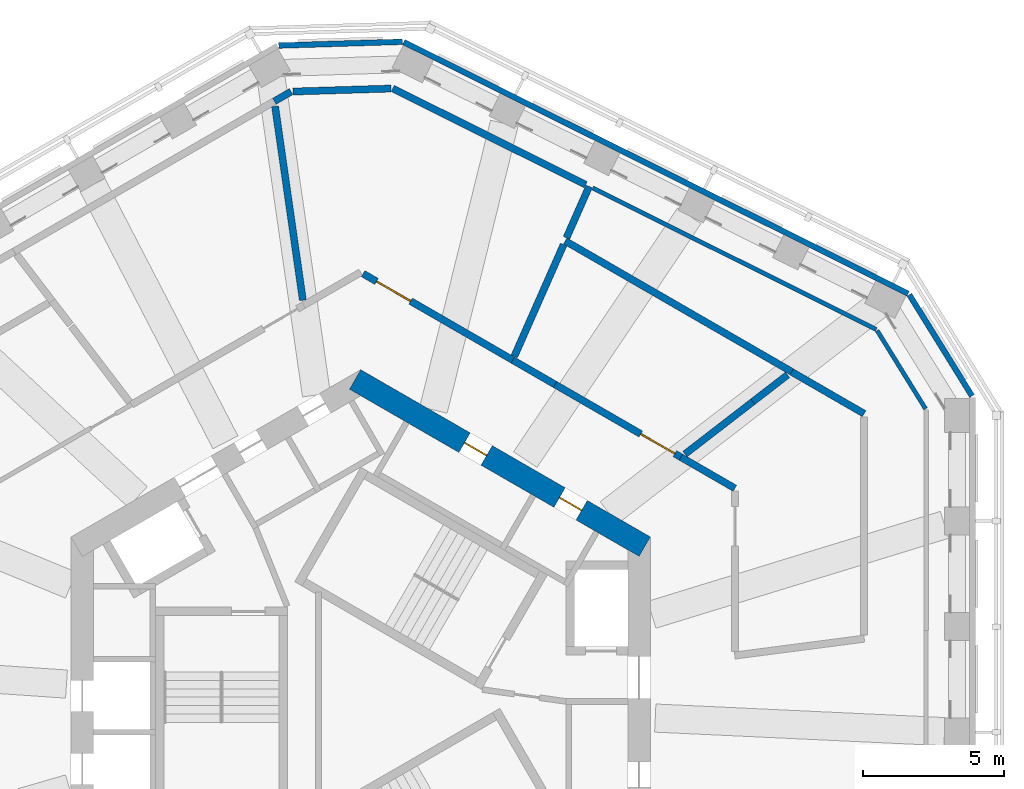
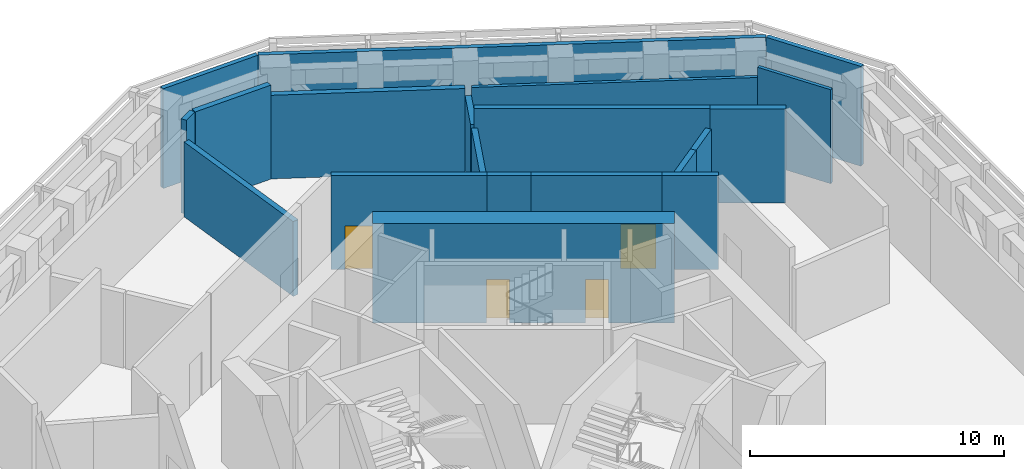
# One storey, part 8 of 15: 20 walls, 4 doors, 4 openings.
"""IFC4 building model written with IfcOpenShell, lengths in metres."""

from ifc_helpers import new_model, si_unit, direction, frame, frame_2d, origin, place, context, subcontext, project, spatial, rectangle, extrude, material, layer, layer_set, type_object, element, fill, save


model = new_model("IFC4")

# Units and contexts
model_context = context("Model", 3, precision=1e-05, world=origin(), true_north=direction((0.0, 1.0)))
body_context = subcontext(model_context, "Body", "Model", "MODEL_VIEW")
ifc_project = project(units=[si_unit("LENGTHUNIT", "METRE"), si_unit("AREAUNIT", "SQUARE_METRE"), si_unit("VOLUMEUNIT", "CUBIC_METRE"), si_unit("PLANEANGLEUNIT", "RADIAN"), si_unit("MASSUNIT", "GRAM", prefix="KILO")], contexts=[model_context])

# Site, building, storey
site_placement = place(None, origin())
site = spatial("IfcSite", under=ifc_project, at=site_placement, CompositionType="ELEMENT")
building_placement = place(site_placement, origin())
building = spatial("IfcBuilding", under=site, at=building_placement, Name="Vanh Sen Convention Tower", CompositionType="ELEMENT")
storey_placement = place(building_placement, frame((0.0, 0.0, 205.800048828125)))
storey = spatial("IfcBuildingStorey", under=building, at=storey_placement, Name="L51", CompositionType="ELEMENT", Elevation=205.800048828125)

# Wall
ifc_material_1 = material(Name="Concrete C40/50", Category="concrete")
ifc_layer_1 = layer(ifc_material_1, 0.25)
ifc_layer_set_1 = layer_set([ifc_layer_1], Name="Concrete C40/50")
wall_type_1 = type_object("IfcWallType", Name="Concrete wall 250 EI 180", PredefinedType="SOLIDWALL", material=ifc_layer_set_1)
wall_1_placement = place(storey_placement, frame((13.300048828125, 7.678955078125, 0.0), z_axis=(0.0, 0.0, 1.0), x_axis=(-0.866060565847, 0.499939092575, 0.0)))
element("IfcWall", 1, at=wall_1_placement, inside=storey, type_object=wall_type_1, Name="Fire-resisting wall L51-043", PredefinedType="SOLIDWALL", context=body_context, shape_type="SweptSolid", body=[
    extrude(rectangle(XDim=2.211181640625, YDim=0.25, at=frame_2d((1.10546875, 0.0))), origin(), (0.0, 0.0, 1.0), 4.52001953125),
])

# Wall, opening, door
wall_2_placement = place(storey_placement, frame((11.385009765625, 8.784423828125, 0.0), z_axis=(0.0, 0.0, 1.0), x_axis=(-0.866019619451, 0.500010018626, 0.0)))
wall_2 = element("IfcWall", 2, at=wall_2_placement, inside=storey, type_object=wall_type_1, Name="Fire-resisting wall L51-044", PredefinedType="SOLIDWALL", context=body_context, shape_type="SweptSolid", body=[
    extrude(rectangle(XDim=5.1689453125, YDim=0.25, at=frame_2d((2.58447265625, 0.0))), origin(), (0.0, 0.0, 1.0), 4.52001953125),
])
opening_1_placement = place(wall_2_placement, frame((0.25, 0.0, 0.0)))
opening_1 = element("IfcOpeningElement", 3, at=opening_1_placement, cuts=wall_2, Name="Opening D51107", PredefinedType="OPENING", context=body_context, shape_type="SweptSolid", body=[
    extrude(rectangle(XDim=1.39990234375, YDim=2.10009765625, at=frame_2d((0.699951171875, 1.050048828125))), frame((0.0, 0.135009765625, 0.0), z_axis=(0.0, -1.0, 0.0), x_axis=(1.0, 0.0, 0.0)), (0.0, 0.0, 1.0), 0.27001953125),
])
ifc_material_2 = material(Name="Steel S355", Category="steel")
door_type_1 = type_object("IfcDoorType", Name="Service door 1400 EI 60", OperationType="SINGLE_SWING_LEFT", PredefinedType="DOOR", material=ifc_material_2)
door_1_placement = place(opening_1_placement, origin())
door_1 = element("IfcDoor", 4, at=door_1_placement, inside=storey, type_object=door_type_1, Name="Service door D51107", OperationType="SINGLE_SWING_LEFT", OverallHeight=2.10009765625, OverallWidth=1.39990234375, PredefinedType="DOOR", context=body_context, shape_type="SweptSolid", body=[
    extrude(rectangle(XDim=1.39990234375, YDim=2.10009765625, at=frame_2d((0.699951171875, 1.050048828125))), frame((0.0, 0.02490234375, 0.0), z_axis=(0.0, -1.0, 0.0), x_axis=(1.0, 0.0, 0.0)), (0.0, 0.0, 1.0), 0.050048828125),
])
fill(opening_1, door_1)

# Walls
wall_3_placement = place(storey_placement, frame((11.527587890625, 8.89453125, 0.0), z_axis=(0.0, 0.0, 1.0), x_axis=(0.791702519006, 0.610906802549, 0.0)))
element("IfcWall", 5, at=wall_3_placement, inside=storey, type_object=wall_type_1, Name="Fire-resisting wall L51-045", PredefinedType="SOLIDWALL", context=body_context, shape_type="SweptSolid", body=[
    extrude(rectangle(XDim=3.04638671875, YDim=0.25, at=frame_2d((1.523193359375, 0.0))), origin(), (0.0, 0.0, 1.0), 3.599853515625),
])
wall_4_placement = place(storey_placement, frame((17.8974609375, 10.330078125, 0.0), z_axis=(0.0, 0.0, 1.0), x_axis=(-0.865977955363, 0.500082174072, 0.0)))
element("IfcWall", 6, at=wall_4_placement, inside=storey, type_object=wall_type_1, Name="Fire-resisting wall L51-047", PredefinedType="SOLIDWALL", context=body_context, shape_type="SweptSolid", body=[
    extrude(rectangle(XDim=2.9765625, YDim=0.25, at=frame_2d((1.48828125, 0.0))), origin(), (0.0, 0.0, 1.0), 4.52001953125),
])
wall_5_placement = place(storey_placement, frame((6.90869140625, 11.368896484375, 0.0), z_axis=(0.0, 0.0, 1.0), x_axis=(-0.86600557522, 0.500034342508, 0.0)))
element("IfcWall", 7, at=wall_5_placement, inside=storey, type_object=wall_type_1, Name="Fire-resisting wall L51-052", PredefinedType="SOLIDWALL", context=body_context, shape_type="SweptSolid", body=[
    extrude(rectangle(XDim=1.7392578125, YDim=0.25, at=frame_2d((0.86962890625, 0.0))), origin(), (0.0, 0.0, 1.0), 4.52001953125),
])
wall_6_placement = place(storey_placement, frame((15.175537109375, 11.709716796875, 0.0), z_axis=(0.0, 0.0, 1.0), x_axis=(-0.791611549425, -0.611024676111, 0.0)))
element("IfcWall", 8, at=wall_6_placement, inside=storey, type_object=wall_type_1, Name="Fire-resisting wall L51-053", PredefinedType="SOLIDWALL", context=body_context, shape_type="SweptSolid", body=[
    extrude(rectangle(XDim=1.5615234375, YDim=0.25, at=frame_2d((0.78076171875, 0.0))), origin(), (0.0, 0.0, 1.0), 3.599853515625),
])
wall_7_placement = place(storey_placement, frame((5.458984375, 12.366455078125, 0.0), z_axis=(0.0, 0.0, 1.0), x_axis=(0.403858781997, 0.914821340046, 0.0)))
element("IfcWall", 9, at=wall_7_placement, inside=storey, type_object=wall_type_1, Name="Fire-resisting wall L51-055", PredefinedType="SOLIDWALL", context=body_context, shape_type="SweptSolid", body=[
    extrude(rectangle(XDim=4.3447265625, YDim=0.25, at=frame_2d((2.17236328125, 0.0))), origin(), (0.0, 0.0, 1.0), 3.599853515625),
])
wall_8_placement = place(storey_placement, frame((-2.05712890625, 14.36279296875, 0.0), z_axis=(0.0, 0.0, 1.0), x_axis=(-0.141725547818, 0.989905990029, 0.0)))
element("IfcWall", 10, at=wall_8_placement, inside=storey, type_object=wall_type_1, Name="Fire-resisting wall L51-061", PredefinedType="SOLIDWALL", context=body_context, shape_type="SweptSolid", body=[
    extrude(rectangle(XDim=6.96630859375, YDim=0.25, at=frame_2d((3.483154296875, 0.0))), origin(), (0.0, 0.0, 1.0), 3.599853515625),
])

# Wall, opening, door
wall_9_placement = place(storey_placement, frame((0.086669921875, 15.3076171875, 0.0), z_axis=(0.0, 0.0, 1.0), x_axis=(0.8660292747, -0.499993295318, 0.0)))
wall_9 = element("IfcWall", 11, at=wall_9_placement, inside=storey, type_object=wall_type_1, Name="Fire-resisting wall L51-062", PredefinedType="SOLIDWALL", context=body_context, shape_type="SweptSolid", body=[
    extrude(rectangle(XDim=6.13818359375, YDim=0.25, at=frame_2d((3.069091796875, 0.0))), origin(), (0.0, 0.0, 1.0), 4.52001953125),
])
opening_2_placement = place(wall_9_placement, frame((0.550048828125, 0.0, 0.0)))
opening_2 = element("IfcOpeningElement", 12, at=opening_2_placement, cuts=wall_9, Name="Opening D51110", PredefinedType="OPENING", context=body_context, shape_type="SweptSolid", body=[
    extrude(rectangle(XDim=1.39990234375, YDim=2.10009765625, at=frame_2d((0.699951171875, 1.050048828125))), frame((0.0, 0.135009765625, 0.0), z_axis=(0.0, -1.0, 0.0), x_axis=(1.0, 0.0, 0.0)), (0.0, 0.0, 1.0), 0.27001953125),
])
door_2_placement = place(opening_2_placement, origin())
door_2 = element("IfcDoor", 13, at=door_2_placement, inside=storey, type_object=door_type_1, Name="Service door D51110", OperationType="SINGLE_SWING_LEFT", OverallHeight=2.10009765625, OverallWidth=1.39990234375, PredefinedType="DOOR", context=body_context, shape_type="SweptSolid", body=[
    extrude(rectangle(XDim=1.39990234375, YDim=2.10009765625, at=frame_2d((0.699951171875, 1.050048828125))), frame((0.0, 0.02490234375, 0.0), z_axis=(0.0, -1.0, 0.0), x_axis=(1.0, 0.0, 0.0)), (0.0, 0.0, 1.0), 0.050048828125),
])
fill(opening_2, door_2)

# Walls
wall_10_placement = place(storey_placement, frame((7.27099609375, 16.470947265625, 0.0), z_axis=(0.0, 0.0, 1.0), x_axis=(0.866053086045, -0.499952049853, 0.0)))
element("IfcWall", 14, at=wall_10_placement, inside=storey, type_object=wall_type_1, Name="Fire-resisting wall L51-064", PredefinedType="SOLIDWALL", context=body_context, shape_type="SweptSolid", body=[
    extrude(rectangle(XDim=9.296875, YDim=0.25, at=frame_2d((4.6484375, 0.0))), origin(), (0.0, 0.0, 1.0), 4.52001953125),
])
wall_11_placement = place(storey_placement, frame((7.31494140625, 16.582763671875, 0.0), z_axis=(0.0, 0.0, 1.0), x_axis=(0.403868911369, 0.914816868247, 0.0)))
element("IfcWall", 15, at=wall_11_placement, inside=storey, type_object=wall_type_1, Name="Fire-resisting wall L51-065", PredefinedType="SOLIDWALL", context=body_context, shape_type="SweptSolid", body=[
    extrude(rectangle(XDim=1.997314453125, YDim=0.25, at=frame_2d((0.99853515625, 0.0))), origin(), (0.0, 0.0, 1.0), 3.599853515625),
])
wall_12_placement = place(storey_placement, frame((-3.070068359375, 21.43701171875, 0.0), z_axis=(0.0, 0.0, 1.0), x_axis=(0.866032163869, 0.499988291006, 0.0)))
element("IfcWall", 16, at=wall_12_placement, inside=storey, type_object=wall_type_1, Name="Fire-resisting wall L51-067", PredefinedType="SOLIDWALL", context=body_context, shape_type="SweptSolid", body=[
    extrude(rectangle(XDim=0.68896484375, YDim=0.25, at=frame_2d((0.344482421875, 0.0))), origin(), (0.0, 0.0, 1.0), 4.52001953125),
])
wall_13_placement = place(storey_placement, frame((-2.41357421875, 21.783447265625, 0.0), z_axis=(0.0, 0.0, 1.0), x_axis=(0.999538161947, 0.030388530923, 0.0)))
element("IfcWall", 17, at=wall_13_placement, inside=storey, type_object=wall_type_1, Name="Fire-resisting wall L51-068", PredefinedType="SOLIDWALL", context=body_context, shape_type="SweptSolid", body=[
    extrude(rectangle(XDim=3.494873046875, YDim=0.25, at=frame_2d((1.74755859375, 0.0))), origin(), (0.0, 0.0, 1.0), 4.52001953125),
])
wall_14_placement = place(storey_placement, frame((1.139404296875, 21.8916015625, 0.0), z_axis=(0.0, 0.0, 1.0), x_axis=(0.894929805906, -0.446206950306, 0.0)))
element("IfcWall", 18, at=wall_14_placement, inside=storey, type_object=wall_type_1, Name="Fire-resisting wall L51-069", PredefinedType="SOLIDWALL", context=body_context, shape_type="SweptSolid", body=[
    extrude(rectangle(XDim=7.666015625, YDim=0.25, at=frame_2d((3.8330078125, 0.0))), origin(), (0.0, 0.0, 1.0), 4.02001953125),
])

# Wall, openings, doors
ifc_material_3 = material(Name="Concrete C60/75", Category="concrete")
ifc_layer_2 = layer(ifc_material_3, 0.800048828125)
ifc_layer_set_2 = layer_set([ifc_layer_2], Name="Concrete C60/75")
wall_type_2 = type_object("IfcWallType", Name="Core outer wall 800 C60/75", PredefinedType="SHEAR", material=ifc_layer_set_2)
wall_15_placement = place(storey_placement, frame((10.10009765625, 5.600341796875, 0.0), z_axis=(0.0, 0.0, 1.0), x_axis=(-0.866023897231, 0.500002609418, 0.0)))
wall_15 = element("IfcWall", 19, at=wall_15_placement, inside=storey, type_object=wall_type_2, Name="Core wall face NE L51", PredefinedType="SHEAR", context=body_context, shape_type="SweptSolid", body=[
    extrude(rectangle(XDim=11.8935546875, YDim=0.800048828125, at=frame_2d((5.94677734375, 0.0))), origin(), (0.0, 0.0, 1.0), 4.800048828125),
])
opening_3_placement = place(wall_15_placement, frame((2.5966796875, 0.0, 0.0)))
opening_3 = element("IfcOpeningElement", 20, at=opening_3_placement, cuts=wall_15, Name="Opening D51010", PredefinedType="OPENING", context=body_context, shape_type="SweptSolid", body=[
    extrude(rectangle(XDim=0.89990234375, YDim=2.10009765625, at=frame_2d((0.449951171875, 1.050048828125))), frame((0.0, 0.409912109375, 0.0), z_axis=(0.0, -1.0, 0.0), x_axis=(1.0, 0.0, 0.0)), (0.0, 0.0, 1.0), 0.820068359375),
])
opening_4_placement = place(wall_15_placement, frame((6.49658203125, 0.0, 0.0)))
opening_4 = element("IfcOpeningElement", 21, at=opening_4_placement, cuts=wall_15, Name="Opening D51011", PredefinedType="OPENING", context=body_context, shape_type="SweptSolid", body=[
    extrude(rectangle(XDim=0.89990234375, YDim=2.10009765625, at=frame_2d((0.449951171875, 1.050048828125))), frame((0.0, 0.409912109375, 0.0), z_axis=(0.0, -1.0, 0.0), x_axis=(1.0, 0.0, 0.0)), (0.0, 0.0, 1.0), 0.820068359375),
])
ifc_material_4 = material(Name="Steel S355", Category="steel")
door_type_2 = type_object("IfcDoorType", Name="Plant door 900", OperationType="SINGLE_SWING_LEFT", PredefinedType="DOOR", material=ifc_material_4)
door_3_placement = place(opening_3_placement, origin())
door_3 = element("IfcDoor", 22, at=door_3_placement, inside=storey, type_object=door_type_2, Name="Plant door D51010", OperationType="SINGLE_SWING_LEFT", OverallHeight=2.10009765625, OverallWidth=0.89990234375, PredefinedType="DOOR", context=body_context, shape_type="SweptSolid", body=[
    extrude(rectangle(XDim=0.89990234375, YDim=2.10009765625, at=frame_2d((0.449951171875, 1.050048828125))), frame((0.0, 0.02490234375, 0.0), z_axis=(0.0, -1.0, 0.0), x_axis=(1.0, 0.0, 0.0)), (0.0, 0.0, 1.0), 0.050048828125),
])
fill(opening_3, door_3)
door_4_placement = place(opening_4_placement, origin())
door_4 = element("IfcDoor", 23, at=door_4_placement, inside=storey, type_object=door_type_2, Name="Plant door D51011", OperationType="SINGLE_SWING_LEFT", OverallHeight=2.10009765625, OverallWidth=0.89990234375, PredefinedType="DOOR", context=body_context, shape_type="SweptSolid", body=[
    extrude(rectangle(XDim=0.89990234375, YDim=2.10009765625, at=frame_2d((0.449951171875, 1.050048828125))), frame((0.0, 0.02490234375, 0.0), z_axis=(0.0, -1.0, 0.0), x_axis=(1.0, 0.0, 0.0)), (0.0, 0.0, 1.0), 0.050048828125),
])
fill(opening_4, door_4)

# Walls
ifc_material_5 = material(Name="Insulated lightweight infill wall")
ifc_layer_3 = layer(ifc_material_5, 0.199951171875)
ifc_layer_set_3 = layer_set([ifc_layer_3], Name="Insulated lightweight infill wall")
wall_type_3 = type_object("IfcWallType", Name="External wall 200", PredefinedType="STANDARD", material=ifc_layer_set_3)
wall_16_placement = place(storey_placement, frame((21.735107421875, 10.9580078125, 0.0), z_axis=(0.0, 0.0, 1.0), x_axis=(-0.526213807775, 0.850352296702, 0.0)))
element("IfcWall", 24, at=wall_16_placement, inside=storey, type_object=wall_type_3, Name="External wall CH1 L51", PredefinedType="STANDARD", context=body_context, shape_type="SweptSolid", body=[
    extrude(rectangle(XDim=4.23828125, YDim=0.199951171875, at=frame_2d((2.119140625, 0.0))), origin(), (0.0, 0.0, 1.0), 4.800048828125),
])
wall_17_placement = place(storey_placement, frame((19.46435546875, 14.598876953125, 0.0), z_axis=(0.0, 0.0, 1.0), x_axis=(-0.894935755043, 0.446195018289, 0.0)))
element("IfcWall", 25, at=wall_17_placement, inside=storey, type_object=wall_type_3, Name="External wall NE L51", PredefinedType="STANDARD", context=body_context, shape_type="SweptSolid", body=[
    extrude(rectangle(XDim=20.043701171875, YDim=0.199951171875, at=frame_2d((10.02197265625, 0.0))), origin(), (0.0, 0.0, 1.0), 4.800048828125),
])
wall_18_placement = place(storey_placement, frame((1.478759765625, 23.552734375, 0.0), z_axis=(0.0, 0.0, 1.0), x_axis=(-0.999534786117, -0.03049936625, 0.0)))
element("IfcWall", 26, at=wall_18_placement, inside=storey, type_object=wall_type_3, Name="External wall CH2 L51", PredefinedType="STANDARD", context=body_context, shape_type="SweptSolid", body=[
    extrude(rectangle(XDim=4.39453125, YDim=0.199951171875, at=frame_2d((2.197265625, 0.0))), origin(), (0.0, 0.0, 1.0), 4.800048828125),
])
ifc_material_6 = material(Name="Gypsum board on steel studs", Category="steel")
ifc_layer_4 = layer(ifc_material_6, 0.14990234375)
ifc_layer_set_4 = layer_set([ifc_layer_4], Name="Gypsum board on steel studs")
wall_type_4 = type_object("IfcWallType", Name="Partition 150", PredefinedType="PARTITIONING", material=ifc_layer_set_4)
wall_19_placement = place(storey_placement, frame((18.360595703125, 13.284912109375, 0.0), z_axis=(0.0, 0.0, 1.0), x_axis=(0.526256972847, -0.850325583838, 0.0)))
element("IfcWall", 27, at=wall_19_placement, inside=storey, type_object=wall_type_4, Name="Partition L51-056", PredefinedType="PARTITIONING", context=body_context, shape_type="SweptSolid", body=[
    extrude(rectangle(XDim=3.27099609375, YDim=0.14990234375, at=frame_2d((1.635498046875, 0.0))), origin(), (0.0, 0.0, 1.0), 4.52001953125),
])
wall_20_placement = place(storey_placement, frame((8.244873046875, 18.3544921875, 0.0), z_axis=(0.0, 0.0, 1.0), x_axis=(0.89492476712, -0.446217056145, 0.0)))
element("IfcWall", 28, at=wall_20_placement, inside=storey, type_object=wall_type_4, Name="Partition L51-066", PredefinedType="PARTITIONING", context=body_context, shape_type="SweptSolid", body=[
    extrude(rectangle(XDim=11.272705078125, YDim=0.14990234375, at=frame_2d((5.63623046875, 0.0))), origin(), (0.0, 0.0, 1.0), 4.02001953125),
])

save(model, "model.ifc")
